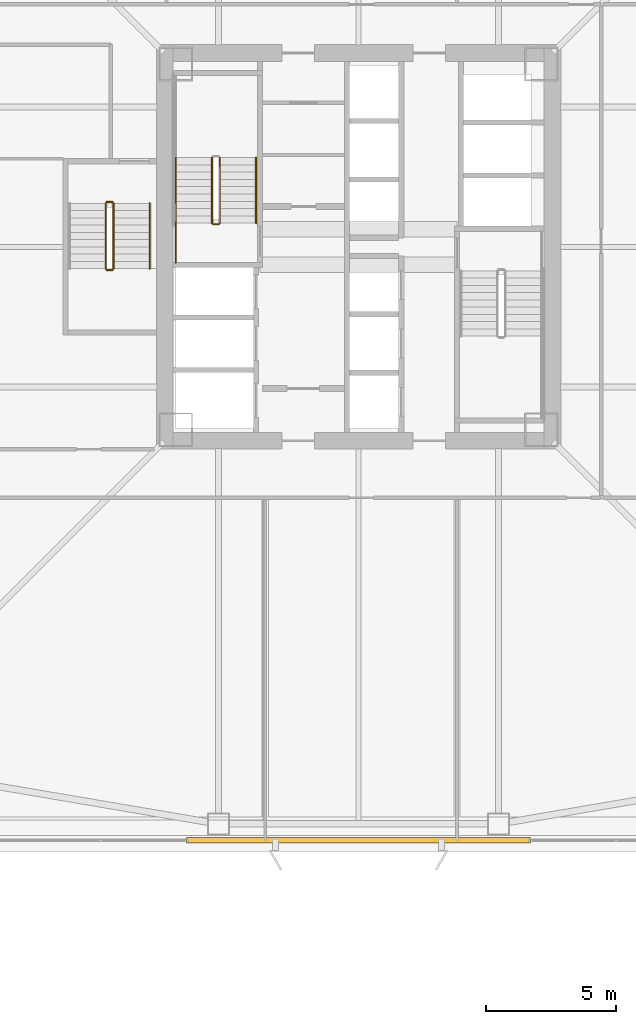
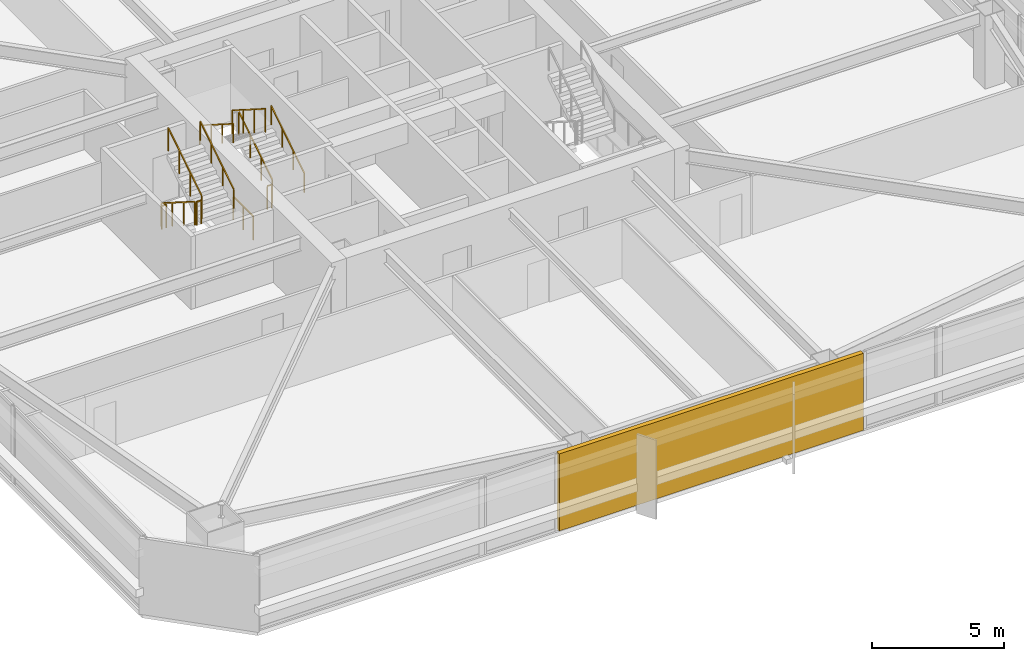
# One storey, part 52 of 62: 11 railings, 1 covering.
"""IFC4 building model written with IfcOpenShell, lengths in metres."""

import ifcopenshell
import ifcopenshell.guid

model = None  # the IFC model being written
_history = None  # IfcOwnerHistory: only IFC2X3 demands one
_inside = {}  # id of a spatial element -> (the spatial element, [elements in it])
_under = {}  # id of a project, library or spatial element -> (it, [spatial elements below it])
_declared = {}  # id of a project -> (the project, [libraries it declares])
_typed = {}  # id of a type object -> (the type object, [elements of that type])
_made_of = {}  # id of a material, layer set ... -> (it, [elements and type objects made of it])


def new_model(schema):
    """Start an empty IFC model of exactly this schema.

    Asked for "IFC4X3", IfcOpenShell would pick the latest addendum, in which some entities
    have other attributes; the version numbers below select the first issue.
    IFC2X3 requires an IfcOwnerHistory on every rooted entity: one is made here for all.
    """
    global model, _history
    if schema == "IFC4X3":
        model = ifcopenshell.file(schema_version=(4, 3, 0, 0))
    else:
        model = ifcopenshell.file(schema=schema)
    _inside.clear()
    _under.clear()
    _declared.clear()
    _typed.clear()
    _made_of.clear()
    _history = None
    if model.schema == "IFC2X3":
        org = make("IfcOrganization", Name="unknown")
        user = make(
            "IfcPersonAndOrganization",
            ThePerson=make("IfcPerson", FamilyName="unknown"),
            TheOrganization=org,
        )
        app = make(
            "IfcApplication",
            ApplicationDeveloper=org,
            Version="unknown",
            ApplicationFullName="unknown",
            ApplicationIdentifier="unknown",
        )
        _history = make(
            "IfcOwnerHistory",
            OwningUser=user,
            OwningApplication=app,
            ChangeAction="ADDED",
            CreationDate=0,
        )
    return model


def make(cls, **values):
    """One entity of the class cls with the attributes given. An attribute that is None is left unset."""
    return model.create_entity(
        cls, **{name: value for name, value in values.items() if value is not None}
    )


def rooted(cls, **values):
    """An entity with a GlobalId (a new one), such as an element, a storey or a relation."""
    return make(cls, GlobalId=ifcopenshell.guid.new(), OwnerHistory=_history, **values)


def si_unit(unit_type, name, prefix=None):
    """IfcSIUnit, for example si_unit("LENGTHUNIT", "METRE", prefix="MILLI")."""
    return make("IfcSIUnit", UnitType=unit_type, Prefix=prefix, Name=name)


def assignment(units):
    """IfcUnitAssignment: the units of a project."""
    return None if units is None else make("IfcUnitAssignment", Units=units)


def point(xyz):
    """IfcCartesianPoint."""
    return None if xyz is None else make("IfcCartesianPoint", Coordinates=xyz)


def direction(xyz):
    """IfcDirection."""
    return None if xyz is None else make("IfcDirection", DirectionRatios=xyz)


def frame(location, z_axis=None, x_axis=None):
    """IfcAxis2Placement3D, a coordinate frame: its origin and axes. An axis left out is left unset."""
    return make(
        "IfcAxis2Placement3D",
        Location=point(location),
        Axis=direction(z_axis),
        RefDirection=direction(x_axis),
    )


def frame_2d(location, x_axis=None):
    """IfcAxis2Placement2D, a coordinate frame in the plane: its origin and x axis."""
    return make(
        "IfcAxis2Placement2D", Location=point(location), RefDirection=direction(x_axis)
    )


def origin():
    """The frame at (0, 0, 0) with its axes left unset."""
    return frame((0.0, 0.0, 0.0))


def origin_2d():
    """The frame at (0, 0) in the plane with its x axis left unset."""
    return frame_2d((0.0, 0.0))


def place(relative_to, where):
    """IfcLocalPlacement: puts the frame where relative to a parent placement (None: the world)."""
    return make(
        "IfcLocalPlacement", PlacementRelTo=relative_to, RelativePlacement=where
    )


def context(
    kind, dimensions, precision=None, world=None, true_north=None, identifier=None
):
    """IfcGeometricRepresentationContext, for example the 3D "Model" context."""
    return make(
        "IfcGeometricRepresentationContext",
        ContextIdentifier=identifier,
        ContextType=kind,
        CoordinateSpaceDimension=dimensions,
        Precision=precision,
        WorldCoordinateSystem=world,
        TrueNorth=true_north,
    )


def subcontext(parent, identifier, kind, view, scale=None):
    """IfcGeometricRepresentationSubContext, for example "Body" below "Model"."""
    return make(
        "IfcGeometricRepresentationSubContext",
        ContextIdentifier=identifier,
        ContextType=kind,
        ParentContext=parent,
        TargetScale=scale,
        TargetView=view,
    )


def project(units=None, contexts=None):
    """IfcProject with its units and contexts."""
    return rooted(
        "IfcProject",
        Name="project",
        RepresentationContexts=contexts,
        UnitsInContext=assignment(units),
    )


def spatial(cls, under=None, at=None, **own):
    """A site, building, storey or space (cls), placed at a placement, below another one or the project."""
    s = rooted(cls, ObjectPlacement=at, **own)
    if under is not None:
        _under.setdefault(under.id(), (under, []))[1].append(s)
    return s


def profile(cls, at=None, kind="AREA", **sizes):
    """A parametric profile (cls). Its sizes go by their IFC names, for example OverallWidth=200.0."""
    return make(cls, ProfileType=kind, Position=at, **sizes)


def rectangle(**sizes):
    """IfcRectangleProfileDef."""
    return profile("IfcRectangleProfileDef", **sizes)


def extrude(swept, where, along, depth):
    """IfcExtrudedAreaSolid: the profile swept, set in the frame where, extruded along a direction by depth."""
    return make(
        "IfcExtrudedAreaSolid",
        SweptArea=swept,
        Position=where,
        ExtrudedDirection=direction(along),
        Depth=depth,
    )


def shape(context_of_items, identifier, shape_type, items):
    """IfcShapeRepresentation: the items that make up one representation, for example the "Body"."""
    return make(
        "IfcShapeRepresentation",
        ContextOfItems=context_of_items,
        RepresentationIdentifier=identifier,
        RepresentationType=shape_type,
        Items=items,
    )


def material(Name=None, Category=None):
    """IfcMaterial."""
    return make("IfcMaterial", Name=Name, Category=Category)


def layer(
    of_material, thickness, ventilated=None, Name=None, Category=None, Priority=None
):
    """IfcMaterialLayer: one layer of a wall or slab, of a material (None: an air gap)."""
    return make(
        "IfcMaterialLayer",
        Material=of_material,
        LayerThickness=thickness,
        IsVentilated=ventilated,
        Name=Name,
        Category=Category,
        Priority=Priority,
    )


def layer_set(layers, Name=None):
    """IfcMaterialLayerSet."""
    return make("IfcMaterialLayerSet", MaterialLayers=layers, LayerSetName=Name)


def made_of(thing, what):
    """Note that an element or type object is made of a material, layer set ...; save() writes the relation."""
    if what is not None:
        _made_of.setdefault(what.id(), (what, []))[1].append(thing)
    return thing


def type_object(cls, material=None, **own):
    """A type object (cls), such as IfcWallType, which elements share."""
    return made_of(rooted(cls, **own), material)


def element(
    cls,
    number,
    at=None,
    inside=None,
    cuts=None,
    type_object=None,
    material=None,
    context=None,
    identifier="Body",
    shape_type=None,
    held_by="IfcProductDefinitionShape",
    body=None,
    shapes=None,
    **own,
):
    """One element of the class cls, such as IfcWall. Its Tag is "e" and its number.

    at: its placement. inside: the storey or other place that contains it. cuts: it is an
    opening in that element (IfcRelVoidsElement). A single representation is given by context,
    identifier, shape_type and body (its items); several are given by shapes. held_by: the class
    of the entity that holds the representations. save() writes the other relations.
    """
    e = rooted(cls, Tag="e%d" % number, ObjectPlacement=at, **own)
    if body is not None:
        shapes = [shape(context, identifier, shape_type, body)]
    if shapes is not None:
        e.Representation = make(held_by, Representations=shapes)
    if inside is not None:
        _inside.setdefault(inside.id(), (inside, []))[1].append(e)
    if cuts is not None:
        rooted(
            "IfcRelVoidsElement", RelatingBuildingElement=cuts, RelatedOpeningElement=e
        )
    if type_object is not None:
        _typed.setdefault(type_object.id(), (type_object, []))[1].append(e)
    return made_of(e, material)


def aggregate(whole, parts):
    """IfcRelAggregates: a whole, such as a stair, and the parts it consists of."""
    return rooted("IfcRelAggregates", RelatingObject=whole, RelatedObjects=parts)


def save(model, path):
    """Write the relations noted so far, then the file.

    IfcRelAggregates (storeys below a building ...), IfcRelContainedInSpatialStructure (elements
    in a storey), IfcRelDefinesByType, IfcRelAssociatesMaterial and IfcRelDeclares: one each for
    every whole, place, type object, material and project.
    """
    for whole, parts in _under.values():
        aggregate(whole, parts)
    for where, things in _inside.values():
        rooted(
            "IfcRelContainedInSpatialStructure",
            RelatedElements=things,
            RelatingStructure=where,
        )
    for kind, things in _typed.values():
        rooted("IfcRelDefinesByType", RelatedObjects=things, RelatingType=kind)
    for what, things in _made_of.values():
        rooted("IfcRelAssociatesMaterial", RelatedObjects=things, RelatingMaterial=what)
    for by, libraries in _declared.values():
        rooted("IfcRelDeclares", RelatingContext=by, RelatedDefinitions=libraries)
    model.write(path)


model = new_model("IFC4")

# Units and contexts
model_context = context("Model", 3, precision=1e-05, world=origin(), true_north=direction((0.0, 1.0)))
body_context = subcontext(model_context, "Body", "Model", "MODEL_VIEW")
ifc_project = project(units=[si_unit("LENGTHUNIT", "METRE"), si_unit("AREAUNIT", "SQUARE_METRE"), si_unit("VOLUMEUNIT", "CUBIC_METRE"), si_unit("PLANEANGLEUNIT", "RADIAN"), si_unit("MASSUNIT", "GRAM", prefix="KILO")], contexts=[model_context])

# Site, building, storey
site_placement = place(None, origin())
site = spatial("IfcSite", under=ifc_project, at=site_placement, CompositionType="ELEMENT")
building_placement = place(site_placement, origin())
building = spatial("IfcBuilding", under=site, at=building_placement, Name="Tashvorn Skyway Center", CompositionType="ELEMENT")
storey_placement = place(building_placement, frame((0.0, 0.0, 28.14990234375)))
storey = spatial("IfcBuildingStorey", under=building, at=storey_placement, Name="L06", CompositionType="ELEMENT", Elevation=28.14990234375)

# Covering
ifc_material_1 = material(Name="Precast concrete C40/50", Category="concrete")
ifc_layer = layer(ifc_material_1, 0.199951171875)
ifc_layer_set = layer_set([ifc_layer], Name="Precast concrete C40/50")
covering_type = type_object("IfcCoveringType", Name="COV-BRACE-CLAD", PredefinedType="CLADDING", material=ifc_layer_set)
covering_placement = place(storey_placement, frame((42.0, 9.1201171875, 0.0), z_axis=(0.0, 0.0, 1.0), x_axis=(-1.0, 0.0, 0.0)))
element("IfcCovering", 1, at=covering_placement, inside=storey, type_object=covering_type, Name="Tower 1 L06 South Unitised Curtain Wall Mega-Brace Cladding Band 1", PredefinedType="CLADDING", context=body_context, shape_type="SweptSolid", body=[
    extrude(rectangle(XDim=13.25341796875, YDim=0.199951171875, at=origin_2d()), origin(), (0.0, 0.0, 1.0), 3.550048828125),
])

# Railings
ifc_material_2 = material(Name="Brushed stainless steel 316", Category="steel")
railing_type_1 = type_object("IfcRailingType", Name="RAIL-HAND-920", PredefinedType="HANDRAIL", material=ifc_material_2)
railing_1_placement = place(storey_placement, frame((38.050048828125, 32.919921875, 0.177490234375)))
element("IfcRailing", 2, at=railing_1_placement, inside=storey, type_object=railing_type_1, Name="L06 ST-T1-1 stair handrail 1", PredefinedType="HANDRAIL", context=body_context, shape_type="SweptSolid", body=[
    extrude(rectangle(XDim=0.048095703125, YDim=0.048095703125, at=origin_2d()), frame((0.0, 0.0, 0.8759765625), z_axis=(0.0, 0.84456994832, 0.535445237532), x_axis=(-1.0, 0.0, 0.0)), (0.0, 0.0, 1.0), 2.98388671875),
    extrude(rectangle(XDim=0.0419921875, YDim=0.0419921875, at=origin_2d()), origin(), (0.0, 0.0, 1.0), 0.851806640625),
    extrude(rectangle(XDim=0.0419921875, YDim=0.0419921875, at=origin_2d()), frame((0.0, 0.840087890625, 0.532470703125)), (0.0, 0.0, 1.0), 0.851806640625),
    extrude(rectangle(XDim=0.0419921875, YDim=0.0419921875, at=origin_2d()), frame((0.0, 1.679931640625, 1.065185546875)), (0.0, 0.0, 1.0), 0.851806640625),
    extrude(rectangle(XDim=0.0419921875, YDim=0.0419921875, at=origin_2d()), frame((0.0, 2.52001953125, 1.59765625)), (0.0, 0.0, 1.0), 0.851806640625),
])
railing_2_placement = place(storey_placement, frame((34.949951171875, 35.43994140625, 1.95263671875)))
element("IfcRailing", 3, at=railing_2_placement, inside=storey, type_object=railing_type_1, Name="L06 ST-T1-1 stair handrail 2", PredefinedType="HANDRAIL", context=body_context, shape_type="SweptSolid", body=[
    extrude(rectangle(XDim=0.048095703125, YDim=0.048095703125, at=origin_2d()), frame((0.0, 0.0, 0.8759765625), z_axis=(0.0, -0.84460694969, 0.535386869969), x_axis=(1.0, 0.0, 0.0)), (0.0, 0.0, 1.0), 2.983642578125),
    extrude(rectangle(XDim=0.0419921875, YDim=0.0419921875, at=origin_2d()), origin(), (0.0, 0.0, 1.0), 0.851806640625),
    extrude(rectangle(XDim=0.0419921875, YDim=0.0419921875, at=origin_2d()), frame((0.0, -0.840087890625, 0.532470703125)), (0.0, 0.0, 1.0), 0.851806640625),
    extrude(rectangle(XDim=0.0419921875, YDim=0.0419921875, at=origin_2d()), frame((0.0, -1.679931640625, 1.06494140625)), (0.0, 0.0, 1.0), 0.851806640625),
    extrude(rectangle(XDim=0.0419921875, YDim=0.0419921875, at=origin_2d()), frame((0.0, -2.52001953125, 1.597412109375)), (0.0, 0.0, 1.0), 0.851806640625),
])
railing_3_placement = place(storey_placement, frame((33.949951171875, 31.159912109375, 1.95263671875)))
element("IfcRailing", 4, at=railing_3_placement, inside=storey, type_object=railing_type_1, Name="L06 ST-T1-3 stair handrail 2", PredefinedType="HANDRAIL", context=body_context, shape_type="SweptSolid", body=[
    extrude(rectangle(XDim=0.048095703125, YDim=0.048095703125, at=origin_2d()), frame((0.0, 0.0, 0.8759765625), z_axis=(0.0, 0.84460694969, 0.535386869969), x_axis=(-1.0, 0.0, 0.0)), (0.0, 0.0, 1.0), 2.983642578125),
    extrude(rectangle(XDim=0.0419921875, YDim=0.0419921875, at=origin_2d()), origin(), (0.0, 0.0, 1.0), 0.851806640625),
    extrude(rectangle(XDim=0.0419921875, YDim=0.0419921875, at=origin_2d()), frame((0.0, 0.840087890625, 0.532470703125)), (0.0, 0.0, 1.0), 0.851806640625),
    extrude(rectangle(XDim=0.0419921875, YDim=0.0419921875, at=origin_2d()), frame((0.0, 1.679931640625, 1.06494140625)), (0.0, 0.0, 1.0), 0.851806640625),
    extrude(rectangle(XDim=0.0419921875, YDim=0.0419921875, at=origin_2d()), frame((0.0, 2.52001953125, 1.597412109375)), (0.0, 0.0, 1.0), 0.851806640625),
])
ifc_material_3 = material(Name="Painted galvanized steel S355", Category="steel")
railing_type_2 = type_object("IfcRailingType", Name="RAIL-STGUARD-1100", PredefinedType="GUARDRAIL", material=ifc_material_3)
railing_4_placement = place(storey_placement, frame((36.64990234375, 32.919921875, 0.177490234375)))
element("IfcRailing", 5, at=railing_4_placement, inside=storey, type_object=railing_type_2, Name="L06 ST-T1-1 stair guard 1", PredefinedType="GUARDRAIL", context=body_context, shape_type="SweptSolid", body=[
    extrude(rectangle(XDim=0.048095703125, YDim=0.048095703125, at=origin_2d()), frame((0.0, 0.0, 1.076171875), z_axis=(0.0, 0.84456994832, 0.535445237532), x_axis=(-1.0, 0.0, 0.0)), (0.0, 0.0, 1.0), 2.98388671875),
    extrude(rectangle(XDim=0.0419921875, YDim=0.0419921875, at=origin_2d()), origin(), (0.0, 0.0, 1.0), 1.052001953125),
    extrude(rectangle(XDim=0.0419921875, YDim=0.0419921875, at=origin_2d()), frame((0.0, 0.840087890625, 0.532470703125)), (0.0, 0.0, 1.0), 1.052001953125),
    extrude(rectangle(XDim=0.0419921875, YDim=0.0419921875, at=origin_2d()), frame((0.0, 1.679931640625, 1.065185546875)), (0.0, 0.0, 1.0), 1.052001953125),
    extrude(rectangle(XDim=0.0419921875, YDim=0.0419921875, at=origin_2d()), frame((0.0, 2.52001953125, 1.59765625)), (0.0, 0.0, 1.0), 1.052001953125),
])
railing_5_placement = place(storey_placement, frame((36.35009765625, 35.43994140625, 1.95263671875)))
element("IfcRailing", 6, at=railing_5_placement, inside=storey, type_object=railing_type_2, Name="L06 ST-T1-1 stair guard 4", PredefinedType="GUARDRAIL", context=body_context, shape_type="SweptSolid", body=[
    extrude(rectangle(XDim=0.048095703125, YDim=0.048095703125, at=origin_2d()), frame((0.0, 0.0, 1.076171875), z_axis=(0.0, -0.84460694969, 0.535386869969), x_axis=(1.0, 0.0, 0.0)), (0.0, 0.0, 1.0), 2.983642578125),
    extrude(rectangle(XDim=0.0419921875, YDim=0.0419921875, at=origin_2d()), origin(), (0.0, 0.0, 1.0), 1.052001953125),
    extrude(rectangle(XDim=0.0419921875, YDim=0.0419921875, at=origin_2d()), frame((0.0, -0.840087890625, 0.532470703125)), (0.0, 0.0, 1.0), 1.052001953125),
    extrude(rectangle(XDim=0.0419921875, YDim=0.0419921875, at=origin_2d()), frame((0.0, -1.679931640625, 1.06494140625)), (0.0, 0.0, 1.0), 1.052001953125),
    extrude(rectangle(XDim=0.0419921875, YDim=0.0419921875, at=origin_2d()), frame((0.0, -2.52001953125, 1.597412109375)), (0.0, 0.0, 1.0), 1.052001953125),
])
railing_6_placement = place(storey_placement, frame((36.60009765625, 32.8701171875, 0.0)))
element("IfcRailing", 7, at=railing_6_placement, inside=storey, type_object=railing_type_2, Name="L06 ST-T1-1 stair guard 5", PredefinedType="GUARDRAIL", context=body_context, shape_type="SweptSolid", body=[
    extrude(rectangle(XDim=0.048095703125, YDim=0.048095703125, at=origin_2d()), frame((0.0, 0.0, 1.076171875), z_axis=(-1.0, 0.0, 0.0), x_axis=(0.0, -1.0, 0.0)), (0.0, 0.0, 1.0), 0.2001953125),
    extrude(rectangle(XDim=0.0419921875, YDim=0.0419921875, at=origin_2d()), origin(), (0.0, 0.0, 1.0), 1.052001953125),
    extrude(rectangle(XDim=0.0419921875, YDim=0.0419921875, at=origin_2d()), frame((-0.2001953125, 0.0, 0.0)), (0.0, 0.0, 1.0), 1.052001953125),
])
railing_7_placement = place(storey_placement, frame((34.949951171875, 31.39990234375, 0.0)))
element("IfcRailing", 8, at=railing_7_placement, inside=storey, type_object=railing_type_2, Name="L06 ST-T1-1 stair guard 6", PredefinedType="GUARDRAIL", context=body_context, shape_type="SweptSolid", body=[
    extrude(rectangle(XDim=0.048095703125, YDim=0.048095703125, at=origin_2d()), frame((0.0, 0.0, 1.076171875), z_axis=(0.0, 1.0, 0.0), x_axis=(-1.0, 0.0, 0.0)), (0.0, 0.0, 1.0), 1.52001953125),
    extrude(rectangle(XDim=0.0419921875, YDim=0.0419921875, at=origin_2d()), origin(), (0.0, 0.0, 1.0), 1.052001953125),
    extrude(rectangle(XDim=0.0419921875, YDim=0.0419921875, at=origin_2d()), frame((0.0, 0.760009765625, 0.0)), (0.0, 0.0, 1.0), 1.052001953125),
    extrude(rectangle(XDim=0.0419921875, YDim=0.0419921875, at=origin_2d()), frame((0.0, 1.52001953125, 0.0)), (0.0, 0.0, 1.0), 1.052001953125),
])
railing_8_placement = place(storey_placement, frame((32.25, 33.679931640625, 0.177490234375)))
element("IfcRailing", 9, at=railing_8_placement, inside=storey, type_object=railing_type_2, Name="L06 ST-T1-3 stair guard 1", PredefinedType="GUARDRAIL", context=body_context, shape_type="SweptSolid", body=[
    extrude(rectangle(XDim=0.048095703125, YDim=0.048095703125, at=origin_2d()), frame((0.0, 0.0, 1.076171875), z_axis=(0.0, -0.84456994832, 0.535445237532), x_axis=(1.0, 0.0, 0.0)), (0.0, 0.0, 1.0), 2.98388671875),
    extrude(rectangle(XDim=0.0419921875, YDim=0.0419921875, at=origin_2d()), origin(), (0.0, 0.0, 1.0), 1.052001953125),
    extrude(rectangle(XDim=0.0419921875, YDim=0.0419921875, at=origin_2d()), frame((0.0, -0.840087890625, 0.532470703125)), (0.0, 0.0, 1.0), 1.052001953125),
    extrude(rectangle(XDim=0.0419921875, YDim=0.0419921875, at=origin_2d()), frame((0.0, -1.679931640625, 1.065185546875)), (0.0, 0.0, 1.0), 1.052001953125),
    extrude(rectangle(XDim=0.0419921875, YDim=0.0419921875, at=origin_2d()), frame((0.0, -2.52001953125, 1.59765625)), (0.0, 0.0, 1.0), 1.052001953125),
])
railing_9_placement = place(storey_placement, frame((32.300048828125, 31.110107421875, 1.775146484375)))
element("IfcRailing", 10, at=railing_9_placement, inside=storey, type_object=railing_type_2, Name="L06 ST-T1-3 stair guard 2", PredefinedType="GUARDRAIL", context=body_context, shape_type="SweptSolid", body=[
    extrude(rectangle(XDim=0.048095703125, YDim=0.048095703125, at=origin_2d()), frame((0.0, 0.0, 1.076171875), z_axis=(1.0, 0.0, 0.0), x_axis=(0.0, 1.0, 0.0)), (0.0, 0.0, 1.0), 0.199951171875),
    extrude(rectangle(XDim=0.0419921875, YDim=0.0419921875, at=origin_2d()), origin(), (0.0, 0.0, 1.0), 1.052001953125),
    extrude(rectangle(XDim=0.0419921875, YDim=0.0419921875, at=origin_2d()), frame((0.199951171875, 0.0, 0.0)), (0.0, 0.0, 1.0), 1.052001953125),
])
railing_10_placement = place(storey_placement, frame((32.550048828125, 31.159912109375, 1.95263671875)))
element("IfcRailing", 11, at=railing_10_placement, inside=storey, type_object=railing_type_2, Name="L06 ST-T1-3 stair guard 3", PredefinedType="GUARDRAIL", context=body_context, shape_type="SweptSolid", body=[
    extrude(rectangle(XDim=0.048095703125, YDim=0.048095703125, at=origin_2d()), frame((0.0, 0.0, 1.076171875), z_axis=(0.0, 0.84460694969, 0.535386869969), x_axis=(-1.0, 0.0, 0.0)), (0.0, 0.0, 1.0), 2.983642578125),
    extrude(rectangle(XDim=0.0419921875, YDim=0.0419921875, at=origin_2d()), origin(), (0.0, 0.0, 1.0), 1.052001953125),
    extrude(rectangle(XDim=0.0419921875, YDim=0.0419921875, at=origin_2d()), frame((0.0, 0.840087890625, 0.532470703125)), (0.0, 0.0, 1.0), 1.052001953125),
    extrude(rectangle(XDim=0.0419921875, YDim=0.0419921875, at=origin_2d()), frame((0.0, 1.679931640625, 1.06494140625)), (0.0, 0.0, 1.0), 1.052001953125),
    extrude(rectangle(XDim=0.0419921875, YDim=0.0419921875, at=origin_2d()), frame((0.0, 2.52001953125, 1.597412109375)), (0.0, 0.0, 1.0), 1.052001953125),
])
railing_11_placement = place(storey_placement, frame((32.300048828125, 33.72998046875, 0.0)))
element("IfcRailing", 12, at=railing_11_placement, inside=storey, type_object=railing_type_2, Name="L06 ST-T1-3 stair guard 4", PredefinedType="GUARDRAIL", context=body_context, shape_type="SweptSolid", body=[
    extrude(rectangle(XDim=0.048095703125, YDim=0.048095703125, at=origin_2d()), frame((0.0, 0.0, 1.076171875), z_axis=(1.0, 0.0, 0.0), x_axis=(0.0, 1.0, 0.0)), (0.0, 0.0, 1.0), 0.199951171875),
    extrude(rectangle(XDim=0.0419921875, YDim=0.0419921875, at=origin_2d()), origin(), (0.0, 0.0, 1.0), 1.052001953125),
    extrude(rectangle(XDim=0.0419921875, YDim=0.0419921875, at=origin_2d()), frame((0.199951171875, 0.0, 0.0)), (0.0, 0.0, 1.0), 1.052001953125),
])

save(model, "model.ifc")
